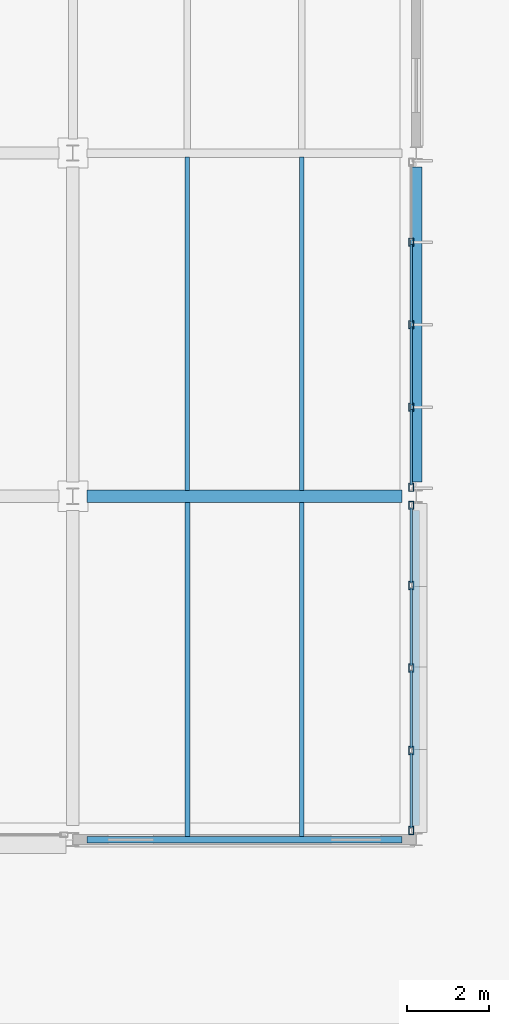
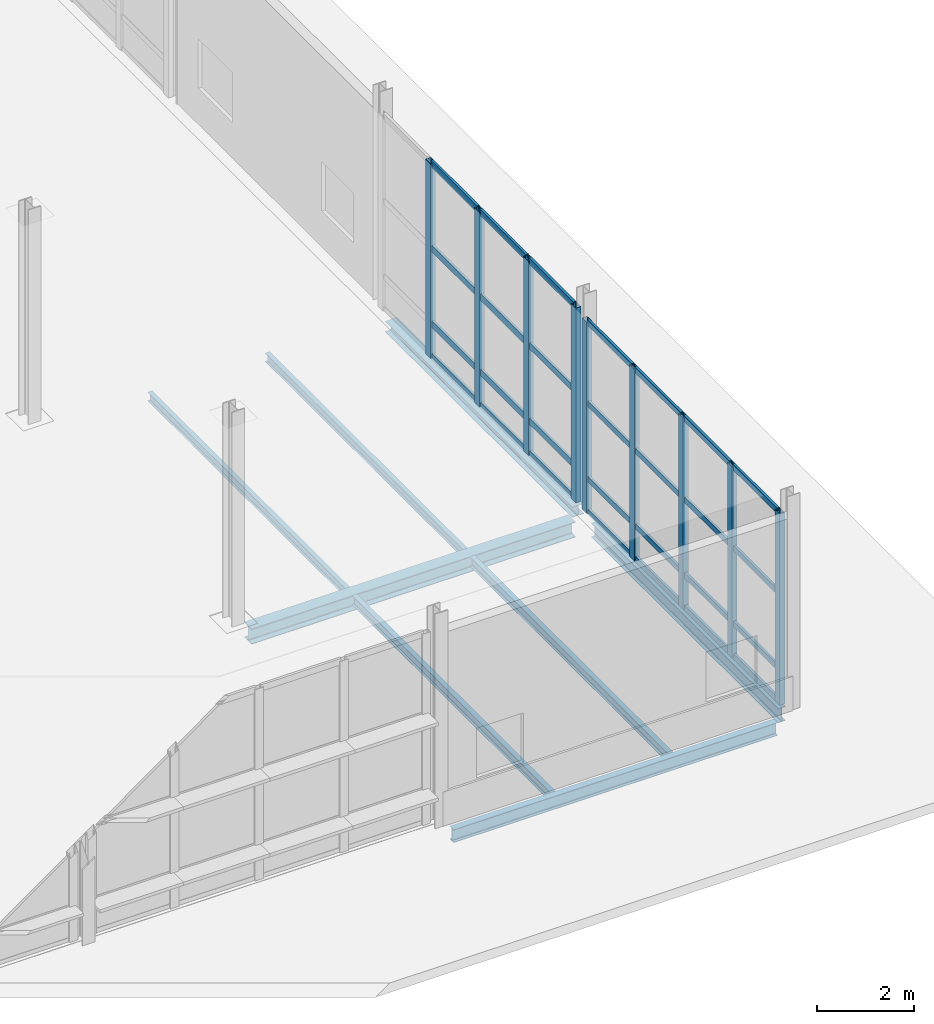
# One storey, part 47 of 124: 37 members, 8 beams, 2 elements without a shape of their own.
"""IFC4 building model written with IfcOpenShell, lengths in metres."""

from ifc_helpers import new_model, si_unit, direction, frame, origin, origin_2d, place, context, subcontext, project, spatial, hollow_rectangle, i_section, extrude, material, material_profile, profile_set, type_object, element, aggregate, save


model = new_model("IFC4")

# Units and contexts
model_context = context("Model", 3, precision=1e-05, world=origin(), true_north=direction((0.0, 1.0)))
body_context = subcontext(model_context, "Body", "Model", "MODEL_VIEW")
ifc_project = project(units=[si_unit("LENGTHUNIT", "METRE"), si_unit("AREAUNIT", "SQUARE_METRE"), si_unit("VOLUMEUNIT", "CUBIC_METRE"), si_unit("PLANEANGLEUNIT", "RADIAN"), si_unit("MASSUNIT", "GRAM", prefix="KILO")], contexts=[model_context])

# Site, building, storey
site_placement = place(None, origin())
site = spatial("IfcSite", under=ifc_project, at=site_placement, CompositionType="ELEMENT")
building_placement = place(site_placement, origin())
building = spatial("IfcBuilding", under=site, at=building_placement, Name="Mersafa Astral City Hall", CompositionType="ELEMENT")
storey_placement = place(building_placement, origin())
storey = spatial("IfcBuildingStorey", under=building, at=storey_placement, Name="L00", CompositionType="ELEMENT", Elevation=0.0)

# Curtain wall, members
ifc_material_1 = material(Name="Anodised bronze aluminium framing", Category="aluminium")
curtain_wall_type_1 = type_object("IfcCurtainWallType", Name="ENV-CW-4", PredefinedType="USERDEFINED", material=ifc_material_1)
curtain_wall_1_placement = place(storey_placement, origin())
curtain_wall_1 = element("IfcCurtainWall", 1, at=curtain_wall_1_placement, inside=storey, type_object=curtain_wall_type_1, Name="L00 Unitised solar curtain wall 3", ObjectType="UNITISED CURTAIN WALL", PredefinedType="USERDEFINED")
ifc_material_profile_1 = material_profile(ifc_material_1, hollow_rectangle(XDim=0.1201171875, YDim=0.199951171875, WallThickness=0.008056640625, at=origin_2d()), Name="RHS 120x200x8")
ifc_profile_set_1 = profile_set([ifc_material_profile_1], Name="Anodised bronze aluminium framing")
member_type_1 = type_object("IfcMemberType", Name="ENV-CW-MUL-2", PredefinedType="MULLION", material=ifc_profile_set_1)
member_1_placement = place(storey_placement, frame((151.080078125, 0.221923828125, -0.001953125), z_axis=(0.0, 0.0, 1.0), x_axis=(-1.0, 0.0, 0.0)))
member_1 = element("IfcMember", 2, at=member_1_placement, type_object=member_type_1, Name="CW-4 mullion 1", PredefinedType="MULLION", context=body_context, shape_type="SweptSolid", body=[
    extrude(hollow_rectangle(XDim=0.1201171875, YDim=0.199951171875, WallThickness=0.008056640625, at=origin_2d()), origin(), (0.0, 0.0, 1.0), 4.81396484375),
])
member_2_placement = place(storey_placement, frame((151.080078125, 2.180908203125, -0.001953125), z_axis=(0.0, 0.0, 1.0), x_axis=(-1.0, 0.0, 0.0)))
member_2 = element("IfcMember", 3, at=member_2_placement, type_object=member_type_1, Name="CW-4 mullion 2", PredefinedType="MULLION", context=body_context, shape_type="SweptSolid", body=[
    extrude(hollow_rectangle(XDim=0.1201171875, YDim=0.199951171875, WallThickness=0.008056640625, at=origin_2d()), origin(), (0.0, 0.0, 1.0), 4.81396484375),
])
member_3_placement = place(storey_placement, frame((151.080078125, 4.199951171875, -0.001953125), z_axis=(0.0, 0.0, 1.0), x_axis=(-1.0, 0.0, 0.0)))
member_3 = element("IfcMember", 4, at=member_3_placement, type_object=member_type_1, Name="CW-4 mullion 3", PredefinedType="MULLION", context=body_context, shape_type="SweptSolid", body=[
    extrude(hollow_rectangle(XDim=0.1201171875, YDim=0.199951171875, WallThickness=0.008056640625, at=origin_2d()), origin(), (0.0, 0.0, 1.0), 4.81396484375),
])
member_4_placement = place(storey_placement, frame((151.080078125, 6.218994140625, -0.001953125), z_axis=(0.0, 0.0, 1.0), x_axis=(-1.0, 0.0, 0.0)))
member_4 = element("IfcMember", 5, at=member_4_placement, type_object=member_type_1, Name="CW-4 mullion 4", PredefinedType="MULLION", context=body_context, shape_type="SweptSolid", body=[
    extrude(hollow_rectangle(XDim=0.1201171875, YDim=0.199951171875, WallThickness=0.008056640625, at=origin_2d()), origin(), (0.0, 0.0, 1.0), 4.81396484375),
])
member_5_placement = place(storey_placement, frame((151.080078125, 8.177978515625, -0.001953125), z_axis=(0.0, 0.0, 1.0), x_axis=(-1.0, 0.0, 0.0)))
member_5 = element("IfcMember", 6, at=member_5_placement, type_object=member_type_1, Name="CW-4 mullion 5", PredefinedType="MULLION", context=body_context, shape_type="SweptSolid", body=[
    extrude(hollow_rectangle(XDim=0.1201171875, YDim=0.199951171875, WallThickness=0.008056640625, at=origin_2d()), origin(), (0.0, 0.0, 1.0), 4.81396484375),
])

curtain_wall_type_2 = type_object("IfcCurtainWallType", Name="ENV-CW-5", PredefinedType="USERDEFINED", material=ifc_material_1)
curtain_wall_2_placement = place(storey_placement, origin())
curtain_wall_2 = element("IfcCurtainWall", 7, at=curtain_wall_2_placement, inside=storey, type_object=curtain_wall_type_2, Name="L00 Unitised solar curtain wall 4", ObjectType="UNITISED CURTAIN WALL", PredefinedType="USERDEFINED")
member_6_placement = place(storey_placement, frame((151.080078125, 8.6220703125, -0.001953125), z_axis=(0.0, 0.0, 1.0), x_axis=(-1.0, 0.0, 0.0)))
member_6 = element("IfcMember", 8, at=member_6_placement, type_object=member_type_1, Name="CW-5 mullion 1", PredefinedType="MULLION", context=body_context, shape_type="SweptSolid", body=[
    extrude(hollow_rectangle(XDim=0.1201171875, YDim=0.199951171875, WallThickness=0.008056640625, at=origin_2d()), origin(), (0.0, 0.0, 1.0), 4.904052734375),
])
member_7_placement = place(storey_placement, frame((151.080078125, 10.5810546875, -0.001953125), z_axis=(0.0, 0.0, 1.0), x_axis=(-1.0, 0.0, 0.0)))
member_7 = element("IfcMember", 9, at=member_7_placement, type_object=member_type_1, Name="CW-5 mullion 2", PredefinedType="MULLION", context=body_context, shape_type="SweptSolid", body=[
    extrude(hollow_rectangle(XDim=0.1201171875, YDim=0.199951171875, WallThickness=0.008056640625, at=origin_2d()), origin(), (0.0, 0.0, 1.0), 4.904052734375),
])
member_8_placement = place(storey_placement, frame((151.080078125, 12.60009765625, -0.001953125), z_axis=(0.0, 0.0, 1.0), x_axis=(-1.0, 0.0, 0.0)))
member_8 = element("IfcMember", 10, at=member_8_placement, type_object=member_type_1, Name="CW-5 mullion 3", PredefinedType="MULLION", context=body_context, shape_type="SweptSolid", body=[
    extrude(hollow_rectangle(XDim=0.1201171875, YDim=0.199951171875, WallThickness=0.008056640625, at=origin_2d()), origin(), (0.0, 0.0, 1.0), 4.904052734375),
])
member_9_placement = place(storey_placement, frame((151.080078125, 14.618896484375, -0.001953125), z_axis=(0.0, 0.0, 1.0), x_axis=(-1.0, 0.0, 0.0)))
member_9 = element("IfcMember", 11, at=member_9_placement, type_object=member_type_1, Name="CW-5 mullion 4", PredefinedType="MULLION", context=body_context, shape_type="SweptSolid", body=[
    extrude(hollow_rectangle(XDim=0.1201171875, YDim=0.199951171875, WallThickness=0.008056640625, at=origin_2d()), origin(), (0.0, 0.0, 1.0), 4.904052734375),
])

# Member
ifc_material_profile_2 = material_profile(ifc_material_1, hollow_rectangle(XDim=0.06005859375, YDim=0.139892578125, WallThickness=0.00390625, at=origin_2d()), Name="RHS 60x140x4")
ifc_profile_set_2 = profile_set([ifc_material_profile_2], Name="Anodised bronze aluminium framing")
member_type_2 = type_object("IfcMemberType", Name="ENV-CW-TRN-1", PredefinedType="USERDEFINED", material=ifc_profile_set_2)
member_10_placement = place(storey_placement, frame((151.080078125, 0.281982421875, 0.028076171875), z_axis=(0.0, 1.0, 0.0), x_axis=(-1.0, 0.0, 0.0)))
member_10 = element("IfcMember", 12, at=member_10_placement, type_object=member_type_2, Name="CW-4 transom 1.1", ObjectType="TRANSOM", PredefinedType="USERDEFINED", context=body_context, shape_type="SweptSolid", body=[
    extrude(hollow_rectangle(XDim=0.06005859375, YDim=0.139892578125, WallThickness=0.00390625, at=origin_2d()), origin(), (0.0, 0.0, 1.0), 1.839111328125),
])

member_11_placement = place(storey_placement, frame((151.080078125, 0.281982421875, 0.85009765625), z_axis=(0.0, 1.0, 0.0), x_axis=(-1.0, 0.0, 0.0)))
member_11 = element("IfcMember", 13, at=member_11_placement, type_object=member_type_2, Name="CW-4 transom 1.2", ObjectType="TRANSOM", PredefinedType="USERDEFINED", context=body_context, shape_type="SweptSolid", body=[
    extrude(hollow_rectangle(XDim=0.06005859375, YDim=0.139892578125, WallThickness=0.00390625, at=origin_2d()), origin(), (0.0, 0.0, 1.0), 1.839111328125),
])

member_12_placement = place(storey_placement, frame((151.080078125, 0.281982421875, 2.75), z_axis=(0.0, 1.0, 0.0), x_axis=(-1.0, 0.0, 0.0)))
member_12 = element("IfcMember", 14, at=member_12_placement, type_object=member_type_2, Name="CW-4 transom 1.3", ObjectType="TRANSOM", PredefinedType="USERDEFINED", context=body_context, shape_type="SweptSolid", body=[
    extrude(hollow_rectangle(XDim=0.06005859375, YDim=0.139892578125, WallThickness=0.00390625, at=origin_2d()), origin(), (0.0, 0.0, 1.0), 1.839111328125),
])

member_13_placement = place(storey_placement, frame((151.080078125, 0.281982421875, 4.781982421875), z_axis=(0.0, 1.0, 0.0), x_axis=(-1.0, 0.0, 0.0)))
member_13 = element("IfcMember", 15, at=member_13_placement, type_object=member_type_2, Name="CW-4 transom 1.4", ObjectType="TRANSOM", PredefinedType="USERDEFINED", context=body_context, shape_type="SweptSolid", body=[
    extrude(hollow_rectangle(XDim=0.06005859375, YDim=0.139892578125, WallThickness=0.00390625, at=origin_2d()), origin(), (0.0, 0.0, 1.0), 1.839111328125),
])

member_14_placement = place(storey_placement, frame((151.080078125, 2.240966796875, 0.028076171875), z_axis=(0.0, 1.0, 0.0), x_axis=(-1.0, 0.0, 0.0)))
member_14 = element("IfcMember", 16, at=member_14_placement, type_object=member_type_2, Name="CW-4 transom 2.1", ObjectType="TRANSOM", PredefinedType="USERDEFINED", context=body_context, shape_type="SweptSolid", body=[
    extrude(hollow_rectangle(XDim=0.06005859375, YDim=0.139892578125, WallThickness=0.00390625, at=origin_2d()), origin(), (0.0, 0.0, 1.0), 1.89892578125),
])

member_15_placement = place(storey_placement, frame((151.080078125, 2.240966796875, 0.85009765625), z_axis=(0.0, 1.0, 0.0), x_axis=(-1.0, 0.0, 0.0)))
member_15 = element("IfcMember", 17, at=member_15_placement, type_object=member_type_2, Name="CW-4 transom 2.2", ObjectType="TRANSOM", PredefinedType="USERDEFINED", context=body_context, shape_type="SweptSolid", body=[
    extrude(hollow_rectangle(XDim=0.06005859375, YDim=0.139892578125, WallThickness=0.00390625, at=origin_2d()), origin(), (0.0, 0.0, 1.0), 1.89892578125),
])

member_16_placement = place(storey_placement, frame((151.080078125, 2.240966796875, 2.75), z_axis=(0.0, 1.0, 0.0), x_axis=(-1.0, 0.0, 0.0)))
member_16 = element("IfcMember", 18, at=member_16_placement, type_object=member_type_2, Name="CW-4 transom 2.3", ObjectType="TRANSOM", PredefinedType="USERDEFINED", context=body_context, shape_type="SweptSolid", body=[
    extrude(hollow_rectangle(XDim=0.06005859375, YDim=0.139892578125, WallThickness=0.00390625, at=origin_2d()), origin(), (0.0, 0.0, 1.0), 1.89892578125),
])

member_17_placement = place(storey_placement, frame((151.080078125, 2.240966796875, 4.781982421875), z_axis=(0.0, 1.0, 0.0), x_axis=(-1.0, 0.0, 0.0)))
member_17 = element("IfcMember", 19, at=member_17_placement, type_object=member_type_2, Name="CW-4 transom 2.4", ObjectType="TRANSOM", PredefinedType="USERDEFINED", context=body_context, shape_type="SweptSolid", body=[
    extrude(hollow_rectangle(XDim=0.06005859375, YDim=0.139892578125, WallThickness=0.00390625, at=origin_2d()), origin(), (0.0, 0.0, 1.0), 1.89892578125),
])

member_18_placement = place(storey_placement, frame((151.080078125, 4.260009765625, 0.028076171875), z_axis=(0.0, 1.0, 0.0), x_axis=(-1.0, 0.0, 0.0)))
member_18 = element("IfcMember", 20, at=member_18_placement, type_object=member_type_2, Name="CW-4 transom 3.1", ObjectType="TRANSOM", PredefinedType="USERDEFINED", context=body_context, shape_type="SweptSolid", body=[
    extrude(hollow_rectangle(XDim=0.06005859375, YDim=0.139892578125, WallThickness=0.00390625, at=origin_2d()), origin(), (0.0, 0.0, 1.0), 1.89892578125),
])

member_19_placement = place(storey_placement, frame((151.080078125, 4.260009765625, 0.85009765625), z_axis=(0.0, 1.0, 0.0), x_axis=(-1.0, 0.0, 0.0)))
member_19 = element("IfcMember", 21, at=member_19_placement, type_object=member_type_2, Name="CW-4 transom 3.2", ObjectType="TRANSOM", PredefinedType="USERDEFINED", context=body_context, shape_type="SweptSolid", body=[
    extrude(hollow_rectangle(XDim=0.06005859375, YDim=0.139892578125, WallThickness=0.00390625, at=origin_2d()), origin(), (0.0, 0.0, 1.0), 1.89892578125),
])

member_20_placement = place(storey_placement, frame((151.080078125, 4.260009765625, 2.75), z_axis=(0.0, 1.0, 0.0), x_axis=(-1.0, 0.0, 0.0)))
member_20 = element("IfcMember", 22, at=member_20_placement, type_object=member_type_2, Name="CW-4 transom 3.3", ObjectType="TRANSOM", PredefinedType="USERDEFINED", context=body_context, shape_type="SweptSolid", body=[
    extrude(hollow_rectangle(XDim=0.06005859375, YDim=0.139892578125, WallThickness=0.00390625, at=origin_2d()), origin(), (0.0, 0.0, 1.0), 1.89892578125),
])

member_21_placement = place(storey_placement, frame((151.080078125, 4.260009765625, 4.781982421875), z_axis=(0.0, 1.0, 0.0), x_axis=(-1.0, 0.0, 0.0)))
member_21 = element("IfcMember", 23, at=member_21_placement, type_object=member_type_2, Name="CW-4 transom 3.4", ObjectType="TRANSOM", PredefinedType="USERDEFINED", context=body_context, shape_type="SweptSolid", body=[
    extrude(hollow_rectangle(XDim=0.06005859375, YDim=0.139892578125, WallThickness=0.00390625, at=origin_2d()), origin(), (0.0, 0.0, 1.0), 1.89892578125),
])

member_22_placement = place(storey_placement, frame((151.080078125, 6.279052734375, 0.028076171875), z_axis=(0.0, 1.0, 0.0), x_axis=(-1.0, 0.0, 0.0)))
member_22 = element("IfcMember", 24, at=member_22_placement, type_object=member_type_2, Name="CW-4 transom 4.1", ObjectType="TRANSOM", PredefinedType="USERDEFINED", context=body_context, shape_type="SweptSolid", body=[
    extrude(hollow_rectangle(XDim=0.06005859375, YDim=0.139892578125, WallThickness=0.00390625, at=origin_2d()), origin(), (0.0, 0.0, 1.0), 1.8388671875),
])

member_23_placement = place(storey_placement, frame((151.080078125, 6.279052734375, 0.85009765625), z_axis=(0.0, 1.0, 0.0), x_axis=(-1.0, 0.0, 0.0)))
member_23 = element("IfcMember", 25, at=member_23_placement, type_object=member_type_2, Name="CW-4 transom 4.2", ObjectType="TRANSOM", PredefinedType="USERDEFINED", context=body_context, shape_type="SweptSolid", body=[
    extrude(hollow_rectangle(XDim=0.06005859375, YDim=0.139892578125, WallThickness=0.00390625, at=origin_2d()), origin(), (0.0, 0.0, 1.0), 1.8388671875),
])

member_24_placement = place(storey_placement, frame((151.080078125, 6.279052734375, 2.75), z_axis=(0.0, 1.0, 0.0), x_axis=(-1.0, 0.0, 0.0)))
member_24 = element("IfcMember", 26, at=member_24_placement, type_object=member_type_2, Name="CW-4 transom 4.3", ObjectType="TRANSOM", PredefinedType="USERDEFINED", context=body_context, shape_type="SweptSolid", body=[
    extrude(hollow_rectangle(XDim=0.06005859375, YDim=0.139892578125, WallThickness=0.00390625, at=origin_2d()), origin(), (0.0, 0.0, 1.0), 1.8388671875),
])

member_25_placement = place(storey_placement, frame((151.080078125, 6.279052734375, 4.781982421875), z_axis=(0.0, 1.0, 0.0), x_axis=(-1.0, 0.0, 0.0)))
member_25 = element("IfcMember", 27, at=member_25_placement, type_object=member_type_2, Name="CW-4 transom 4.4", ObjectType="TRANSOM", PredefinedType="USERDEFINED", context=body_context, shape_type="SweptSolid", body=[
    extrude(hollow_rectangle(XDim=0.06005859375, YDim=0.139892578125, WallThickness=0.00390625, at=origin_2d()), origin(), (0.0, 0.0, 1.0), 1.8388671875),
])

aggregate(curtain_wall_1, [member_1, member_2, member_3, member_4, member_5, member_10, member_11, member_12, member_13, member_14, member_15, member_16, member_17, member_18, member_19, member_20, member_21, member_22, member_23, member_24, member_25])

ifc_material_profile_3 = material_profile(ifc_material_1, hollow_rectangle(XDim=0.06005859375, YDim=0.159912109375, WallThickness=0.00390625, at=origin_2d()), Name="RHS 60x160x4")
ifc_profile_set_3 = profile_set([ifc_material_profile_3], Name="Anodised bronze aluminium framing")
member_type_3 = type_object("IfcMemberType", Name="ENV-CW-TRN-2", PredefinedType="USERDEFINED", material=ifc_profile_set_3)
member_26_placement = place(storey_placement, frame((151.080078125, 8.681884765625, 0.028076171875), z_axis=(0.0, 1.0, 0.0), x_axis=(-1.0, 0.0, 0.0)))
member_26 = element("IfcMember", 28, at=member_26_placement, type_object=member_type_3, Name="CW-5 transom 1.1", ObjectType="TRANSOM", PredefinedType="USERDEFINED", context=body_context, shape_type="SweptSolid", body=[
    extrude(hollow_rectangle(XDim=0.06005859375, YDim=0.159912109375, WallThickness=0.00390625, at=origin_2d()), origin(), (0.0, 0.0, 1.0), 1.839111328125),
])

member_27_placement = place(storey_placement, frame((151.080078125, 8.681884765625, 0.85009765625), z_axis=(0.0, 1.0, 0.0), x_axis=(-1.0, 0.0, 0.0)))
member_27 = element("IfcMember", 29, at=member_27_placement, type_object=member_type_3, Name="CW-5 transom 1.2", ObjectType="TRANSOM", PredefinedType="USERDEFINED", context=body_context, shape_type="SweptSolid", body=[
    extrude(hollow_rectangle(XDim=0.06005859375, YDim=0.159912109375, WallThickness=0.00390625, at=origin_2d()), origin(), (0.0, 0.0, 1.0), 1.839111328125),
])

member_28_placement = place(storey_placement, frame((151.080078125, 8.681884765625, 2.75), z_axis=(0.0, 1.0, 0.0), x_axis=(-1.0, 0.0, 0.0)))
member_28 = element("IfcMember", 30, at=member_28_placement, type_object=member_type_3, Name="CW-5 transom 1.3", ObjectType="TRANSOM", PredefinedType="USERDEFINED", context=body_context, shape_type="SweptSolid", body=[
    extrude(hollow_rectangle(XDim=0.06005859375, YDim=0.159912109375, WallThickness=0.00390625, at=origin_2d()), origin(), (0.0, 0.0, 1.0), 1.839111328125),
])

member_29_placement = place(storey_placement, frame((151.080078125, 8.681884765625, 4.8720703125), z_axis=(0.0, 1.0, 0.0), x_axis=(-1.0, 0.0, 0.0)))
member_29 = element("IfcMember", 31, at=member_29_placement, type_object=member_type_3, Name="CW-5 transom 1.4", ObjectType="TRANSOM", PredefinedType="USERDEFINED", context=body_context, shape_type="SweptSolid", body=[
    extrude(hollow_rectangle(XDim=0.06005859375, YDim=0.159912109375, WallThickness=0.00390625, at=origin_2d()), origin(), (0.0, 0.0, 1.0), 1.839111328125),
])

member_30_placement = place(storey_placement, frame((151.080078125, 10.64111328125, 0.028076171875), z_axis=(0.0, 1.0, 0.0), x_axis=(-1.0, 0.0, 0.0)))
member_30 = element("IfcMember", 32, at=member_30_placement, type_object=member_type_3, Name="CW-5 transom 2.1", ObjectType="TRANSOM", PredefinedType="USERDEFINED", context=body_context, shape_type="SweptSolid", body=[
    extrude(hollow_rectangle(XDim=0.06005859375, YDim=0.159912109375, WallThickness=0.00390625, at=origin_2d()), origin(), (0.0, 0.0, 1.0), 1.89892578125),
])

member_31_placement = place(storey_placement, frame((151.080078125, 10.64111328125, 0.85009765625), z_axis=(0.0, 1.0, 0.0), x_axis=(-1.0, 0.0, 0.0)))
member_31 = element("IfcMember", 33, at=member_31_placement, type_object=member_type_3, Name="CW-5 transom 2.2", ObjectType="TRANSOM", PredefinedType="USERDEFINED", context=body_context, shape_type="SweptSolid", body=[
    extrude(hollow_rectangle(XDim=0.06005859375, YDim=0.159912109375, WallThickness=0.00390625, at=origin_2d()), origin(), (0.0, 0.0, 1.0), 1.89892578125),
])

member_32_placement = place(storey_placement, frame((151.080078125, 10.64111328125, 2.75), z_axis=(0.0, 1.0, 0.0), x_axis=(-1.0, 0.0, 0.0)))
member_32 = element("IfcMember", 34, at=member_32_placement, type_object=member_type_3, Name="CW-5 transom 2.3", ObjectType="TRANSOM", PredefinedType="USERDEFINED", context=body_context, shape_type="SweptSolid", body=[
    extrude(hollow_rectangle(XDim=0.06005859375, YDim=0.159912109375, WallThickness=0.00390625, at=origin_2d()), origin(), (0.0, 0.0, 1.0), 1.89892578125),
])

member_33_placement = place(storey_placement, frame((151.080078125, 10.64111328125, 4.8720703125), z_axis=(0.0, 1.0, 0.0), x_axis=(-1.0, 0.0, 0.0)))
member_33 = element("IfcMember", 35, at=member_33_placement, type_object=member_type_3, Name="CW-5 transom 2.4", ObjectType="TRANSOM", PredefinedType="USERDEFINED", context=body_context, shape_type="SweptSolid", body=[
    extrude(hollow_rectangle(XDim=0.06005859375, YDim=0.159912109375, WallThickness=0.00390625, at=origin_2d()), origin(), (0.0, 0.0, 1.0), 1.89892578125),
])

member_34_placement = place(storey_placement, frame((151.080078125, 12.659912109375, 0.028076171875), z_axis=(0.0, 1.0, 0.0), x_axis=(-1.0, 0.0, 0.0)))
member_34 = element("IfcMember", 36, at=member_34_placement, type_object=member_type_3, Name="CW-5 transom 3.1", ObjectType="TRANSOM", PredefinedType="USERDEFINED", context=body_context, shape_type="SweptSolid", body=[
    extrude(hollow_rectangle(XDim=0.06005859375, YDim=0.159912109375, WallThickness=0.00390625, at=origin_2d()), origin(), (0.0, 0.0, 1.0), 1.899169921875),
])

member_35_placement = place(storey_placement, frame((151.080078125, 12.659912109375, 0.85009765625), z_axis=(0.0, 1.0, 0.0), x_axis=(-1.0, 0.0, 0.0)))
member_35 = element("IfcMember", 37, at=member_35_placement, type_object=member_type_3, Name="CW-5 transom 3.2", ObjectType="TRANSOM", PredefinedType="USERDEFINED", context=body_context, shape_type="SweptSolid", body=[
    extrude(hollow_rectangle(XDim=0.06005859375, YDim=0.159912109375, WallThickness=0.00390625, at=origin_2d()), origin(), (0.0, 0.0, 1.0), 1.899169921875),
])

member_36_placement = place(storey_placement, frame((151.080078125, 12.659912109375, 2.75), z_axis=(0.0, 1.0, 0.0), x_axis=(-1.0, 0.0, 0.0)))
member_36 = element("IfcMember", 38, at=member_36_placement, type_object=member_type_3, Name="CW-5 transom 3.3", ObjectType="TRANSOM", PredefinedType="USERDEFINED", context=body_context, shape_type="SweptSolid", body=[
    extrude(hollow_rectangle(XDim=0.06005859375, YDim=0.159912109375, WallThickness=0.00390625, at=origin_2d()), origin(), (0.0, 0.0, 1.0), 1.899169921875),
])

member_37_placement = place(storey_placement, frame((151.080078125, 12.659912109375, 4.8720703125), z_axis=(0.0, 1.0, 0.0), x_axis=(-1.0, 0.0, 0.0)))
member_37 = element("IfcMember", 39, at=member_37_placement, type_object=member_type_3, Name="CW-5 transom 3.4", ObjectType="TRANSOM", PredefinedType="USERDEFINED", context=body_context, shape_type="SweptSolid", body=[
    extrude(hollow_rectangle(XDim=0.06005859375, YDim=0.159912109375, WallThickness=0.00390625, at=origin_2d()), origin(), (0.0, 0.0, 1.0), 1.899169921875),
])

aggregate(curtain_wall_2, [member_6, member_7, member_8, member_9, member_26, member_27, member_28, member_29, member_30, member_31, member_32, member_33, member_34, member_35, member_36, member_37])

# Beams
ifc_material_2 = material(Name="Steel S355", Category="steel")
ifc_material_profile_4 = material_profile(ifc_material_2, i_section(OverallWidth=0.300048828125, OverallDepth=0.389892578125, WebThickness=0.010986328125, FlangeThickness=0.01904296875, FilletRadius=0.027099609375, at=origin_2d()), Name="HEA 400")
ifc_profile_set_4 = profile_set([ifc_material_profile_4], Name="Steel S355")
beam_type_1 = type_object("IfcBeamType", Name="STR-BM-HEA400", PredefinedType="BEAM", material=ifc_profile_set_4)
beam_1_placement = place(storey_placement, frame((143.14501953125, 8.39990234375, -0.445068359375), z_axis=(1.0, 0.0, 0.0), x_axis=(0.0, 1.0, 0.0)))
element("IfcBeam", 40, at=beam_1_placement, inside=storey, type_object=beam_type_1, Name="L00 Primary girder X 17-1", PredefinedType="BEAM", context=body_context, shape_type="SweptSolid", body=[
    extrude(i_section(OverallWidth=0.300048828125, OverallDepth=0.389892578125, WebThickness=0.010986328125, FlangeThickness=0.01904296875, FilletRadius=0.027099609375, at=origin_2d()), origin(), (0.0, 0.0, 1.0), 7.7099609375),
])
ifc_material_profile_5 = material_profile(ifc_material_2, i_section(OverallWidth=0.110107421875, OverallDepth=0.219970703125, WebThickness=0.005859375, FlangeThickness=0.00927734375, FilletRadius=0.011962890625, at=origin_2d()), Name="IPE 220")
ifc_profile_set_5 = profile_set([ifc_material_profile_5], Name="Steel S355")
beam_type_2 = type_object("IfcBeamType", Name="STR-BM-JOIST-IPE220", PredefinedType="JOIST", material=ifc_profile_set_5)
for number, where, z_axis, x_axis, name in (
    (41, (145.60009765625, 8.544921875, -0.360107421875), (0.0, 1.0, 0.0), (-1.0, 0.0, 0.0), "L00 Composite secondary floor joist 166"),
    (42, (148.39990234375, 8.544921875, -0.360107421875), (0.0, 1.0, 0.0), (-1.0, 0.0, 0.0), "L00 Composite secondary floor joist 167"),
):
    element("IfcBeam", number, at=place(storey_placement, frame(where, z_axis=z_axis, x_axis=x_axis)), inside=storey, type_object=beam_type_2, Name=name, PredefinedType="JOIST", context=body_context, shape_type="SweptSolid", body=[
        extrude(i_section(OverallWidth=0.110107421875, OverallDepth=0.219970703125, WebThickness=0.005859375, FlangeThickness=0.00927734375, FilletRadius=0.011962890625, at=origin_2d()), origin(), (0.0, 0.0, 1.0), 8.155029296875),
    ])
ifc_material_profile_6 = material_profile(ifc_material_2, i_section(OverallWidth=0.1201171875, OverallDepth=0.239990234375, WebThickness=0.006103515625, FlangeThickness=0.009765625, FilletRadius=0.014892578125, at=origin_2d()), Name="IPE 240")
ifc_profile_set_6 = profile_set([ifc_material_profile_6], Name="Steel S355")
beam_type_3 = type_object("IfcBeamType", Name="STR-BM-JOIST-IPE240", PredefinedType="JOIST", material=ifc_profile_set_6)
for number, where, z_axis, x_axis, name in (
    (43, (145.60009765625, 0.074951171875, -0.3701171875), (0.0, 1.0, 0.0), (-1.0, 0.0, 0.0), "L00 Composite secondary floor joist 164"),
    (44, (148.39990234375, 0.074951171875, -0.3701171875), (0.0, 1.0, 0.0), (-1.0, 0.0, 0.0), "L00 Composite secondary floor joist 165"),
):
    element("IfcBeam", number, at=place(storey_placement, frame(where, z_axis=z_axis, x_axis=x_axis)), inside=storey, type_object=beam_type_3, Name=name, PredefinedType="JOIST", context=body_context, shape_type="SweptSolid", body=[
        extrude(i_section(OverallWidth=0.1201171875, OverallDepth=0.239990234375, WebThickness=0.006103515625, FlangeThickness=0.009765625, FilletRadius=0.014892578125, at=origin_2d()), origin(), (0.0, 0.0, 1.0), 8.179931640625),
    ])
ifc_material_profile_7 = material_profile(ifc_material_2, i_section(OverallWidth=0.280029296875, OverallDepth=0.27001953125, WebThickness=0.008056640625, FlangeThickness=0.012939453125, FilletRadius=0.02392578125, at=origin_2d()), Name="HEA 280")
ifc_profile_set_7 = profile_set([ifc_material_profile_7], Name="Steel S355")
beam_type_4 = type_object("IfcBeamType", Name="STR-BM-SPANDREL-HEA280", PredefinedType="SPANDREL", material=ifc_profile_set_7)
beam_2_placement = place(storey_placement, frame((151.199951171875, 8.7451171875, -0.385009765625), z_axis=(0.0, 1.0, 0.0), x_axis=(-1.0, 0.0, 0.0)))
element("IfcBeam", 45, at=beam_2_placement, inside=storey, type_object=beam_type_4, Name="L00 Primary girder Y 18-1", PredefinedType="SPANDREL", context=body_context, shape_type="SweptSolid", body=[
    extrude(i_section(OverallWidth=0.280029296875, OverallDepth=0.27001953125, WebThickness=0.008056640625, FlangeThickness=0.012939453125, FilletRadius=0.02392578125, at=origin_2d()), origin(), (0.0, 0.0, 1.0), 7.7099609375),
])
ifc_material_profile_8 = material_profile(ifc_material_2, i_section(OverallWidth=0.159912109375, OverallDepth=0.330078125, WebThickness=0.007568359375, FlangeThickness=0.011474609375, FilletRadius=0.01806640625, at=origin_2d()), Name="IPE 330")
ifc_profile_set_8 = profile_set([ifc_material_profile_8], Name="Steel S355")
beam_type_5 = type_object("IfcBeamType", Name="STR-BM-SPANDREL-IPE330", PredefinedType="SPANDREL", material=ifc_profile_set_8)
beam_3_placement = place(storey_placement, frame((143.14501953125, 0.0, -0.4150390625), z_axis=(1.0, 0.0, 0.0), x_axis=(0.0, 1.0, 0.0)))
element("IfcBeam", 46, at=beam_3_placement, inside=storey, type_object=beam_type_5, Name="L00 Primary girder X 17-0", PredefinedType="SPANDREL", context=body_context, shape_type="SweptSolid", body=[
    extrude(i_section(OverallWidth=0.159912109375, OverallDepth=0.330078125, WebThickness=0.007568359375, FlangeThickness=0.011474609375, FilletRadius=0.01806640625, at=origin_2d()), origin(), (0.0, 0.0, 1.0), 7.7099609375),
])
ifc_material_profile_9 = material_profile(ifc_material_2, i_section(OverallWidth=0.169921875, OverallDepth=0.360107421875, WebThickness=0.008056640625, FlangeThickness=0.0126953125, FilletRadius=0.01806640625, at=origin_2d()), Name="IPE 360")
ifc_profile_set_9 = profile_set([ifc_material_profile_9], Name="Steel S355")
beam_type_6 = type_object("IfcBeamType", Name="STR-BM-SPANDREL-IPE360", PredefinedType="SPANDREL", material=ifc_profile_set_9)
beam_4_placement = place(storey_placement, frame((151.199951171875, 0.344970703125, -0.429931640625), z_axis=(0.0, 1.0, 0.0), x_axis=(-1.0, 0.0, 0.0)))
element("IfcBeam", 47, at=beam_4_placement, inside=storey, type_object=beam_type_6, Name="L00 Primary girder Y 18-0", PredefinedType="SPANDREL", context=body_context, shape_type="SweptSolid", body=[
    extrude(i_section(OverallWidth=0.169921875, OverallDepth=0.360107421875, WebThickness=0.008056640625, FlangeThickness=0.0126953125, FilletRadius=0.01806640625, at=origin_2d()), origin(), (0.0, 0.0, 1.0), 7.7099609375),
])

save(model, "model.ifc")
